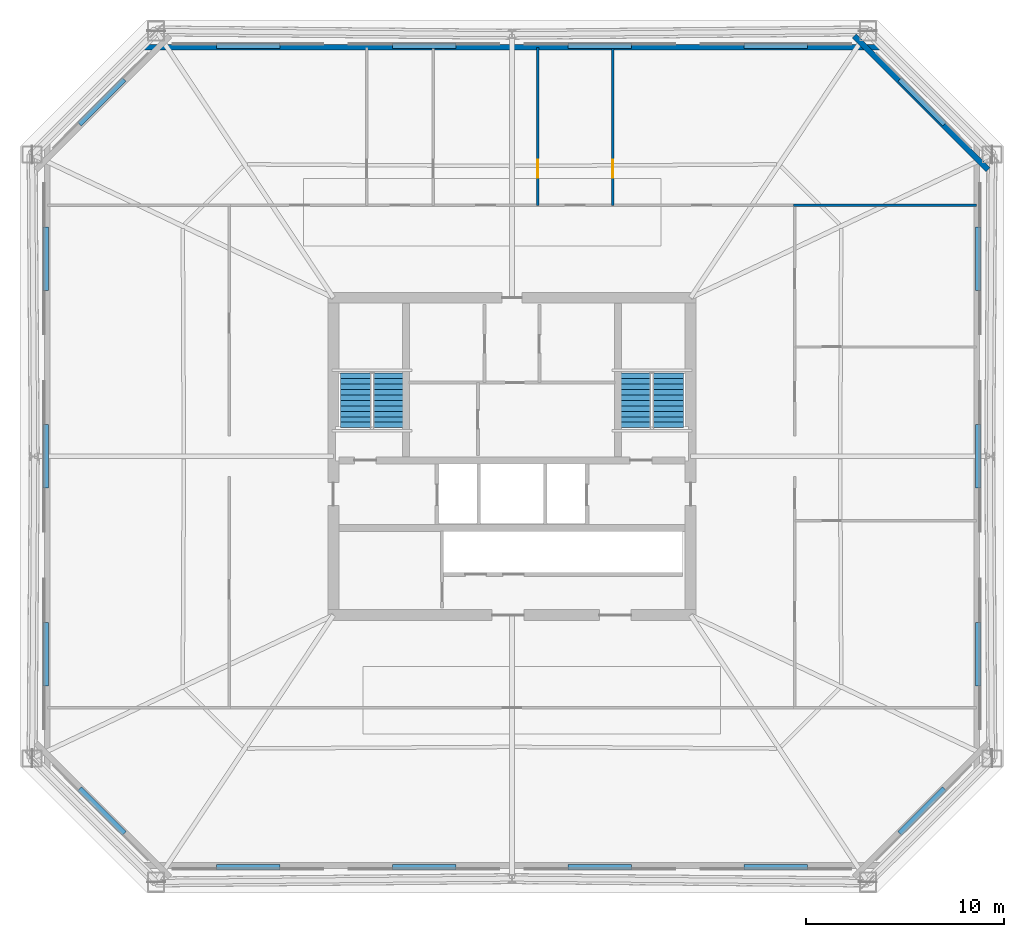
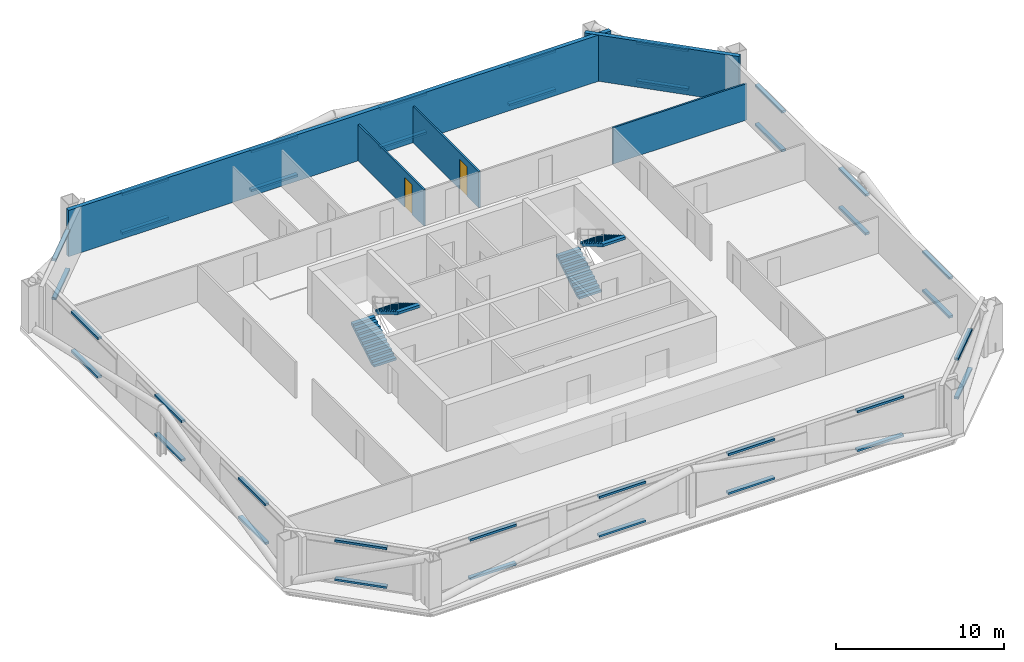
# One storey, part 4 of 6: 36 discrete accessories, 5 walls, 4 stair flights, 2 doors, 2 openings, 2 elements without a shape of their own.
"""IFC4 building model written with IfcOpenShell, lengths in metres."""

from ifc_helpers import new_model, si_unit, direction, frame, frame_2d, origin, origin_2d, place, context, subcontext, project, spatial, polyline, rectangle, outline, extrude, material, layer, layer_set, type_object, element, fill, aggregate, save


model = new_model("IFC4")

# Units and contexts
model_context = context("Model", 3, precision=1e-05, world=origin(), true_north=direction((0.0, 1.0)))
body_context = subcontext(model_context, "Body", "Model", "MODEL_VIEW")
ifc_project = project(units=[si_unit("LENGTHUNIT", "METRE"), si_unit("AREAUNIT", "SQUARE_METRE"), si_unit("VOLUMEUNIT", "CUBIC_METRE"), si_unit("PLANEANGLEUNIT", "RADIAN"), si_unit("MASSUNIT", "GRAM", prefix="KILO")], contexts=[model_context])

# Site, building, storey
site_placement = place(None, origin())
site = spatial("IfcSite", under=ifc_project, at=site_placement, CompositionType="ELEMENT")
building_placement = place(site_placement, origin())
building = spatial("IfcBuilding", under=site, at=building_placement, Name="Caelvoria Tower", CompositionType="ELEMENT")
storey_placement = place(building_placement, frame((0.0, 0.0, 160.0)))
storey = spatial("IfcBuildingStorey", under=building, at=storey_placement, Name="L42", CompositionType="ELEMENT", Elevation=160.0)

# Walls
ifc_material_1 = material(Name="Precast Concrete C40/50 with Bronze Cladding", Category="concrete")
ifc_layer_1 = layer(ifc_material_1, 0.280029296875, Name="Precast Concrete C40/50 with Bronze Cladding")
ifc_layer_set_1 = layer_set([ifc_layer_1], Name="Exterior Precast Concrete C40/50 Bronze-Clad Facade Wall 280 - Precast Concrete C40/50 with Bronze Cladding")
wall_type_1 = type_object("IfcWallType", Name="Exterior Precast Concrete C40/50 Bronze-Clad Facade Wall 280", PredefinedType="STANDARD", material=ifc_layer_set_1)
wall_1_placement = place(storey_placement, frame((69.993896484375, 46.45458984375, 0.0), z_axis=(0.0, 0.0, 1.0), x_axis=(-0.707119588888, 0.707093973253, 0.0)))
element("IfcWall", 1, at=wall_1_placement, inside=storey, type_object=wall_type_1, Name="Exterior Facade Wall L42-E3", PredefinedType="STANDARD", context=body_context, shape_type="SweptSolid", body=[
    extrude(rectangle(XDim=9.531005859375, YDim=0.280029296875, at=frame_2d((4.765625, 0.0))), origin(), (0.0, 0.0, 1.0), 3.360107421875),
])
wall_2_placement = place(storey_placement, frame((64.639892578125, 52.6201171875, 0.0), z_axis=(0.0, 0.0, 1.0), x_axis=(-1.0, 0.0, 0.0)))
element("IfcWall", 2, at=wall_2_placement, inside=storey, type_object=wall_type_1, Name="Exterior Facade Wall L42-E4", PredefinedType="STANDARD", context=body_context, shape_type="SweptSolid", body=[
    extrude(rectangle(XDim=37.27978515625, YDim=0.280029296875, at=frame_2d((18.639892578125, 0.0))), origin(), (0.0, 0.0, 1.0), 3.360107421875),
])

# Wall, opening, door
ifc_material_2 = material(Name="Acoustic Gypsum Board on Light-Gauge Stud", Category="gypsum")
ifc_layer_2 = layer(ifc_material_2, 0.1201171875, Name="Acoustic Gypsum Board on Light-Gauge Stud")
ifc_layer_set_2 = layer_set([ifc_layer_2], Name="Tenant Suite Acoustic Partition Wall 120 - Acoustic Gypsum Board on Light-Gauge Stud")
wall_type_2 = type_object("IfcWallType", Name="Tenant Suite Acoustic Partition Wall 120", PredefinedType="PARTITIONING", material=ifc_layer_set_2)
wall_3_placement = place(storey_placement, frame((47.306884765625, 44.659912109375, 0.0), z_axis=(0.0, 0.0, 1.0), x_axis=(0.0, 1.0, 0.0)))
wall_3 = element("IfcWall", 3, at=wall_3_placement, inside=storey, type_object=wall_type_2, Name="Interior Partition IW-L42-ND-02-0", PredefinedType="PARTITIONING", context=body_context, shape_type="SweptSolid", body=[
    extrude(rectangle(XDim=7.960205078125, YDim=0.1201171875, at=frame_2d((3.97998046875, 0.0))), origin(), (0.0, 0.0, 1.0), 2.639892578125),
])
opening_1_placement = place(wall_3_placement, frame((1.39990234375, 0.0, 0.0)))
opening_1 = element("IfcOpeningElement", 4, at=opening_1_placement, cuts=wall_3, Name="Opening ID-06", PredefinedType="OPENING", context=body_context, shape_type="SweptSolid", body=[
    extrude(rectangle(XDim=0.89990234375, YDim=2.14990234375, at=frame_2d((0.449951171875, 1.074951171875))), frame((0.0, 0.070068359375, 0.0), z_axis=(0.0, -1.0, 0.0), x_axis=(1.0, 0.0, 0.0)), (0.0, 0.0, 1.0), 0.14013671875),
])
ifc_material_3 = material(Name="Engineered Andean Oak Veneer Door", Category="wood")
door_type = type_object("IfcDoorType", Name="Interior Timber Door 900x2150", OperationType="NOTDEFINED", PredefinedType="DOOR", material=ifc_material_3)
door_1_placement = place(opening_1_placement, origin())
door_1 = element("IfcDoor", 5, at=door_1_placement, inside=storey, type_object=door_type, Name="Interior Door DR-L42-NM-02-0", OperationType="SINGLE_SWING_RIGHT", OverallHeight=2.14990234375, OverallWidth=0.89990234375, PredefinedType="DOOR", context=body_context, shape_type="SweptSolid", body=[
    extrude(rectangle(XDim=0.89990234375, YDim=2.14990234375, at=frame_2d((0.449951171875, 1.074951171875))), frame((0.0, 0.02490234375, 0.0), z_axis=(0.0, -1.0, 0.0), x_axis=(1.0, 0.0, 0.0)), (0.0, 0.0, 1.0), 0.050048828125),
])
fill(opening_1, door_1)

wall_4_placement = place(storey_placement, frame((51.07958984375, 44.659912109375, 0.0), z_axis=(0.0, 0.0, 1.0), x_axis=(0.0, 1.0, 0.0)))
wall_4 = element("IfcWall", 6, at=wall_4_placement, inside=storey, type_object=wall_type_2, Name="Interior Partition IW-L42-ND-03-0", PredefinedType="PARTITIONING", context=body_context, shape_type="SweptSolid", body=[
    extrude(rectangle(XDim=7.960205078125, YDim=0.1201171875, at=frame_2d((3.97998046875, 0.0))), origin(), (0.0, 0.0, 1.0), 2.639892578125),
])
opening_2_placement = place(wall_4_placement, frame((1.39990234375, 0.0, 0.0)))
opening_2 = element("IfcOpeningElement", 7, at=opening_2_placement, cuts=wall_4, Name="Opening ID-06", PredefinedType="OPENING", context=body_context, shape_type="SweptSolid", body=[
    extrude(rectangle(XDim=0.89990234375, YDim=2.14990234375, at=frame_2d((0.449951171875, 1.074951171875))), frame((0.0, 0.070068359375, 0.0), z_axis=(0.0, -1.0, 0.0), x_axis=(1.0, 0.0, 0.0)), (0.0, 0.0, 1.0), 0.14013671875),
])
door_2_placement = place(opening_2_placement, origin())
door_2 = element("IfcDoor", 8, at=door_2_placement, inside=storey, type_object=door_type, Name="Interior Door DR-L42-NM-03-0", OperationType="SINGLE_SWING_LEFT", OverallHeight=2.14990234375, OverallWidth=0.89990234375, PredefinedType="DOOR", context=body_context, shape_type="SweptSolid", body=[
    extrude(rectangle(XDim=0.89990234375, YDim=2.14990234375, at=frame_2d((0.449951171875, 1.074951171875))), frame((0.0, 0.02490234375, 0.0), z_axis=(0.0, -1.0, 0.0), x_axis=(1.0, 0.0, 0.0)), (0.0, 0.0, 1.0), 0.050048828125),
])
fill(opening_2, door_2)

# Wall
wall_5_placement = place(storey_placement, frame((60.199951171875, 44.659912109375, 0.0), z_axis=(0.0, 0.0, 1.0), x_axis=(1.0, 0.0, 0.0)))
element("IfcWall", 9, at=wall_5_placement, inside=storey, type_object=wall_type_2, Name="Interior Partition IW-L42-BNE-0", PredefinedType="PARTITIONING", context=body_context, shape_type="SweptSolid", body=[
    extrude(rectangle(XDim=9.219970703125, YDim=0.1201171875, at=frame_2d((4.60986328125, 0.0))), origin(), (0.0, 0.0, 1.0), 2.639892578125),
])

# Stair, stair flights
ifc_material_4 = material(Name="Concrete C40/50", Category="concrete")
stair_type = type_object("IfcStairType", Name="Core Smokeproof Dogleg Stair Concrete C40/50", PredefinedType="HALF_TURN_STAIR", material=ifc_material_4)
stair_1_placement = place(storey_placement, origin())
stair_1 = element("IfcStair", 10, at=stair_1_placement, inside=storey, type_object=stair_type, Name="ST-01 Smokeproof Exit Stair L42", PredefinedType="HALF_TURN_STAIR")
ifc_material_5 = material(Name="Precast Concrete C40/50", Category="concrete")
stair_flight_type = type_object("IfcStairFlightType", Name="Precast Concrete C40/50 Stair Flight 1480", PredefinedType="STRAIGHT", material=ifc_material_5)
stair_flight_1_placement = place(storey_placement, frame((38.1298828125, 33.449951171875, 0.0), z_axis=(0.0, 0.0, 1.0), x_axis=(0.0, 1.0, 0.0)))
stair_flight_1 = element("IfcStairFlight", 11, at=stair_flight_1_placement, type_object=stair_flight_type, Name="ST-01 flight 1", NumberOfRisers=11, NumberOfTreads=10, PredefinedType="STRAIGHT", RiserHeight=0.1636, TreadLength=0.275, context=body_context, shape_type="SweptSolid", body=[
    extrude(outline(polyline([(0.0, 0.0), (0.0, 0.16357421875), (0.27490234375, 0.16357421875), (0.27490234375, 0.3271484375), (0.550048828125, 0.3271484375), (0.550048828125, 0.49072265625), (0.824951171875, 0.49072265625), (0.824951171875, 0.654296875), (1.10009765625, 0.654296875), (1.10009765625, 0.818115234375), (1.375, 0.818115234375), (1.375, 0.981689453125), (1.64990234375, 0.981689453125), (1.64990234375, 1.145263671875), (1.925048828125, 1.145263671875), (1.925048828125, 1.308837890625), (2.199951171875, 1.308837890625), (2.199951171875, 1.472412109375), (2.47509765625, 1.472412109375), (2.47509765625, 1.635986328125), (2.75, 1.635986328125), (2.75, 1.799560546875), (2.75, 1.449951171875), (0.312744140625, 0.0), (0.0, 0.0)])), frame((0.0, 0.77001953125, 0.0), z_axis=(0.0, -1.0, 0.0), x_axis=(1.0, 0.0, 0.0)), (0.0, 0.0, 1.0), 1.5400390625),
])
stair_flight_2_placement = place(storey_placement, frame((39.77001953125, 36.199951171875, 1.800048828125), z_axis=(0.0, 0.0, 1.0), x_axis=(0.0, -1.0, 0.0)))
stair_flight_2 = element("IfcStairFlight", 12, at=stair_flight_2_placement, type_object=stair_flight_type, Name="ST-01 flight 2", NumberOfRisers=11, NumberOfTreads=10, PredefinedType="STRAIGHT", RiserHeight=0.1636, TreadLength=0.275, context=body_context, shape_type="SweptSolid", body=[
    extrude(outline(polyline([(0.0, 0.0), (0.0, 0.16357421875), (0.27490234375, 0.16357421875), (0.27490234375, 0.3271484375), (0.550048828125, 0.3271484375), (0.550048828125, 0.49072265625), (0.824951171875, 0.49072265625), (0.824951171875, 0.654296875), (1.10009765625, 0.654296875), (1.10009765625, 0.818115234375), (1.375, 0.818115234375), (1.375, 0.981689453125), (1.64990234375, 0.981689453125), (1.64990234375, 1.145263671875), (1.925048828125, 1.145263671875), (1.925048828125, 1.308837890625), (2.199951171875, 1.308837890625), (2.199951171875, 1.472412109375), (2.47509765625, 1.472412109375), (2.47509765625, 1.635986328125), (2.75, 1.635986328125), (2.75, 1.799560546875), (2.75, 1.449951171875), (0.312744140625, 0.0), (0.0, 0.0)])), frame((0.0, 0.77001953125, 0.0), z_axis=(0.0, -1.0, 0.0), x_axis=(1.0, 0.0, 0.0)), (0.0, 0.0, 1.0), 1.5400390625),
])
aggregate(stair_1, [stair_flight_1, stair_flight_2])

stair_2_placement = place(storey_placement, origin())
stair_2 = element("IfcStair", 13, at=stair_2_placement, inside=storey, type_object=stair_type, Name="ST-02 Smokeproof Exit Stair L42", PredefinedType="HALF_TURN_STAIR")
stair_flight_3_placement = place(storey_placement, frame((52.22998046875, 33.449951171875, 0.0), z_axis=(0.0, 0.0, 1.0), x_axis=(0.0, 1.0, 0.0)))
stair_flight_3 = element("IfcStairFlight", 14, at=stair_flight_3_placement, type_object=stair_flight_type, Name="ST-02 flight 1", NumberOfRisers=11, NumberOfTreads=10, PredefinedType="STRAIGHT", RiserHeight=0.1636, TreadLength=0.275, context=body_context, shape_type="SweptSolid", body=[
    extrude(outline(polyline([(0.0, 0.0), (0.0, 0.16357421875), (0.27490234375, 0.16357421875), (0.27490234375, 0.3271484375), (0.550048828125, 0.3271484375), (0.550048828125, 0.49072265625), (0.824951171875, 0.49072265625), (0.824951171875, 0.654296875), (1.10009765625, 0.654296875), (1.10009765625, 0.818115234375), (1.375, 0.818115234375), (1.375, 0.981689453125), (1.64990234375, 0.981689453125), (1.64990234375, 1.145263671875), (1.925048828125, 1.145263671875), (1.925048828125, 1.308837890625), (2.199951171875, 1.308837890625), (2.199951171875, 1.472412109375), (2.47509765625, 1.472412109375), (2.47509765625, 1.635986328125), (2.75, 1.635986328125), (2.75, 1.799560546875), (2.75, 1.449951171875), (0.312744140625, 0.0), (0.0, 0.0)])), frame((0.0, 0.77001953125, 0.0), z_axis=(0.0, -1.0, 0.0), x_axis=(1.0, 0.0, 0.0)), (0.0, 0.0, 1.0), 1.5400390625),
])
stair_flight_4_placement = place(storey_placement, frame((53.8701171875, 36.199951171875, 1.800048828125), z_axis=(0.0, 0.0, 1.0), x_axis=(0.0, -1.0, 0.0)))
stair_flight_4 = element("IfcStairFlight", 15, at=stair_flight_4_placement, type_object=stair_flight_type, Name="ST-02 flight 2", NumberOfRisers=11, NumberOfTreads=10, PredefinedType="STRAIGHT", RiserHeight=0.1636, TreadLength=0.275, context=body_context, shape_type="SweptSolid", body=[
    extrude(outline(polyline([(0.0, 0.0), (0.0, 0.16357421875), (0.27490234375, 0.16357421875), (0.27490234375, 0.3271484375), (0.550048828125, 0.3271484375), (0.550048828125, 0.49072265625), (0.824951171875, 0.49072265625), (0.824951171875, 0.654296875), (1.10009765625, 0.654296875), (1.10009765625, 0.818115234375), (1.375, 0.818115234375), (1.375, 0.981689453125), (1.64990234375, 0.981689453125), (1.64990234375, 1.145263671875), (1.925048828125, 1.145263671875), (1.925048828125, 1.308837890625), (2.199951171875, 1.308837890625), (2.199951171875, 1.472412109375), (2.47509765625, 1.472412109375), (2.47509765625, 1.635986328125), (2.75, 1.635986328125), (2.75, 1.799560546875), (2.75, 1.449951171875), (0.312744140625, 0.0), (0.0, 0.0)])), frame((0.0, 0.77001953125, 0.0), z_axis=(0.0, -1.0, 0.0), x_axis=(1.0, 0.0, 0.0)), (0.0, 0.0, 1.0), 1.5400390625),
])
aggregate(stair_2, [stair_flight_3, stair_flight_4])

# Discrete accessories
ifc_material_6 = material(Name="Anodised Bronze Stainless Bracket", Category="bronze")
discrete_accessory_type = type_object("IfcDiscreteAccessoryType", Name="Solar Screen Outrigger Support Bracket", PredefinedType="BRACKET", material=ifc_material_6)
for number, where, z_axis, x_axis, name in (
    (16, (32.695068359375, 11.302978515625, 0.240234375), (0.0, 0.0, 1.0), (1.0, 0.0, 0.0), "Solar Screen Bracket L42-E0-00"),
    (17, (32.695068359375, 11.302978515625, 3.06005859375), (0.0, 0.0, 1.0), (1.0, 0.0, 0.0), "Upper Screen Band Bracket L42-E0-00"),
    (18, (41.56494140625, 11.302978515625, 0.240234375), (0.0, 0.0, 1.0), (1.0, 0.0, 0.0), "Solar Screen Bracket L42-E0-01"),
    (19, (41.56494140625, 11.302978515625, 3.06005859375), (0.0, 0.0, 1.0), (1.0, 0.0, 0.0), "Upper Screen Band Bracket L42-E0-01"),
    (20, (50.43505859375, 11.302978515625, 0.240234375), (0.0, 0.0, 1.0), (1.0, 0.0, 0.0), "Solar Screen Bracket L42-E0-02"),
    (21, (50.43505859375, 11.302978515625, 3.06005859375), (0.0, 0.0, 1.0), (1.0, 0.0, 0.0), "Upper Screen Band Bracket L42-E0-02"),
    (22, (59.304931640625, 11.302978515625, 0.240234375), (0.0, 0.0, 1.0), (1.0, 0.0, 0.0), "Solar Screen Bracket L42-E0-03"),
    (23, (59.304931640625, 11.302978515625, 3.06005859375), (0.0, 0.0, 1.0), (1.0, 0.0, 0.0), "Upper Screen Band Bracket L42-E0-03"),
    (24, (66.6787109375, 14.121337890625, 0.240234375), (0.0, 0.0, 1.0), (0.707106781187, 0.707106781187, 0.0), "Solar Screen Bracket L42-E1-00"),
    (25, (66.6787109375, 14.121337890625, 3.06005859375), (0.0, 0.0, 1.0), (0.707106781187, 0.707106781187, 0.0), "Upper Screen Band Bracket L42-E1-00"),
    (26, (69.4970703125, 22.0400390625, 0.240234375), (0.0, 0.0, 1.0), (0.0, 1.0, 0.0), "Solar Screen Bracket L42-E2-00"),
    (27, (69.4970703125, 22.0400390625, 3.06005859375), (0.0, 0.0, 1.0), (0.0, 1.0, 0.0), "Upper Screen Band Bracket L42-E2-00"),
    (28, (69.4970703125, 32.0, 0.240234375), (0.0, 0.0, 1.0), (0.0, 1.0, 0.0), "Solar Screen Bracket L42-E2-01"),
    (29, (69.4970703125, 32.0, 3.06005859375), (0.0, 0.0, 1.0), (0.0, 1.0, 0.0), "Upper Screen Band Bracket L42-E2-01"),
    (30, (69.4970703125, 41.9599609375, 0.240234375), (0.0, 0.0, 1.0), (0.0, 1.0, 0.0), "Solar Screen Bracket L42-E2-02"),
    (31, (69.4970703125, 41.9599609375, 3.06005859375), (0.0, 0.0, 1.0), (0.0, 1.0, 0.0), "Upper Screen Band Bracket L42-E2-02"),
    (32, (66.6787109375, 49.878662109375, 0.240234375), (0.0, 0.0, 1.0), (-0.707106781187, 0.707106781187, 0.0), "Solar Screen Bracket L42-E3-00"),
    (33, (66.6787109375, 49.878662109375, 3.06005859375), (0.0, 0.0, 1.0), (-0.707106781187, 0.707106781187, 0.0), "Upper Screen Band Bracket L42-E3-00"),
    (34, (59.304931640625, 52.697021484375, 0.240234375), (0.0, 0.0, 1.0), (-1.0, 0.0, 0.0), "Solar Screen Bracket L42-E4-00"),
    (35, (59.304931640625, 52.697021484375, 3.06005859375), (0.0, 0.0, 1.0), (-1.0, 0.0, 0.0), "Upper Screen Band Bracket L42-E4-00"),
    (36, (50.43505859375, 52.697021484375, 0.240234375), (0.0, 0.0, 1.0), (-1.0, 0.0, 0.0), "Solar Screen Bracket L42-E4-01"),
    (37, (50.43505859375, 52.697021484375, 3.06005859375), (0.0, 0.0, 1.0), (-1.0, 0.0, 0.0), "Upper Screen Band Bracket L42-E4-01"),
    (38, (41.56494140625, 52.697021484375, 0.240234375), (0.0, 0.0, 1.0), (-1.0, 0.0, 0.0), "Solar Screen Bracket L42-E4-02"),
    (39, (41.56494140625, 52.697021484375, 3.06005859375), (0.0, 0.0, 1.0), (-1.0, 0.0, 0.0), "Upper Screen Band Bracket L42-E4-02"),
    (40, (32.695068359375, 52.697021484375, 0.240234375), (0.0, 0.0, 1.0), (-1.0, 0.0, 0.0), "Solar Screen Bracket L42-E4-03"),
    (41, (32.695068359375, 52.697021484375, 3.06005859375), (0.0, 0.0, 1.0), (-1.0, 0.0, 0.0), "Upper Screen Band Bracket L42-E4-03"),
    (42, (25.3212890625, 49.878662109375, 0.240234375), (0.0, 0.0, 1.0), (-0.707106781187, -0.707106781187, 0.0), "Solar Screen Bracket L42-E5-00"),
    (43, (25.3212890625, 49.878662109375, 3.06005859375), (0.0, 0.0, 1.0), (-0.707106781187, -0.707106781187, 0.0), "Upper Screen Band Bracket L42-E5-00"),
    (44, (22.5029296875, 41.9599609375, 0.240234375), (0.0, 0.0, 1.0), (0.0, -1.0, 0.0), "Solar Screen Bracket L42-E6-00"),
    (45, (22.5029296875, 41.9599609375, 3.06005859375), (0.0, 0.0, 1.0), (0.0, -1.0, 0.0), "Upper Screen Band Bracket L42-E6-00"),
    (46, (22.5029296875, 32.0, 0.240234375), (0.0, 0.0, 1.0), (0.0, -1.0, 0.0), "Solar Screen Bracket L42-E6-01"),
    (47, (22.5029296875, 32.0, 3.06005859375), (0.0, 0.0, 1.0), (0.0, -1.0, 0.0), "Upper Screen Band Bracket L42-E6-01"),
    (48, (22.5029296875, 22.0400390625, 0.240234375), (0.0, 0.0, 1.0), (0.0, -1.0, 0.0), "Solar Screen Bracket L42-E6-02"),
    (49, (22.5029296875, 22.0400390625, 3.06005859375), (0.0, 0.0, 1.0), (0.0, -1.0, 0.0), "Upper Screen Band Bracket L42-E6-02"),
    (50, (25.3212890625, 14.121337890625, 0.240234375), (0.0, 0.0, 1.0), (0.707106781187, -0.707106781187, 0.0), "Solar Screen Bracket L42-E7-00"),
    (51, (25.3212890625, 14.121337890625, 3.06005859375), (0.0, 0.0, 1.0), (0.707106781187, -0.707106781187, 0.0), "Upper Screen Band Bracket L42-E7-00"),
):
    element("IfcDiscreteAccessory", number, at=place(storey_placement, frame(where, z_axis=z_axis, x_axis=x_axis)), inside=storey, type_object=discrete_accessory_type, Name=name, PredefinedType="BRACKET", context=body_context, shape_type="SweptSolid", body=[
        extrude(rectangle(XDim=3.199951171875, YDim=0.280029296875, at=origin_2d()), origin(), (0.0, 0.0, 1.0), 0.159912109375),
    ])

save(model, "model.ifc")
